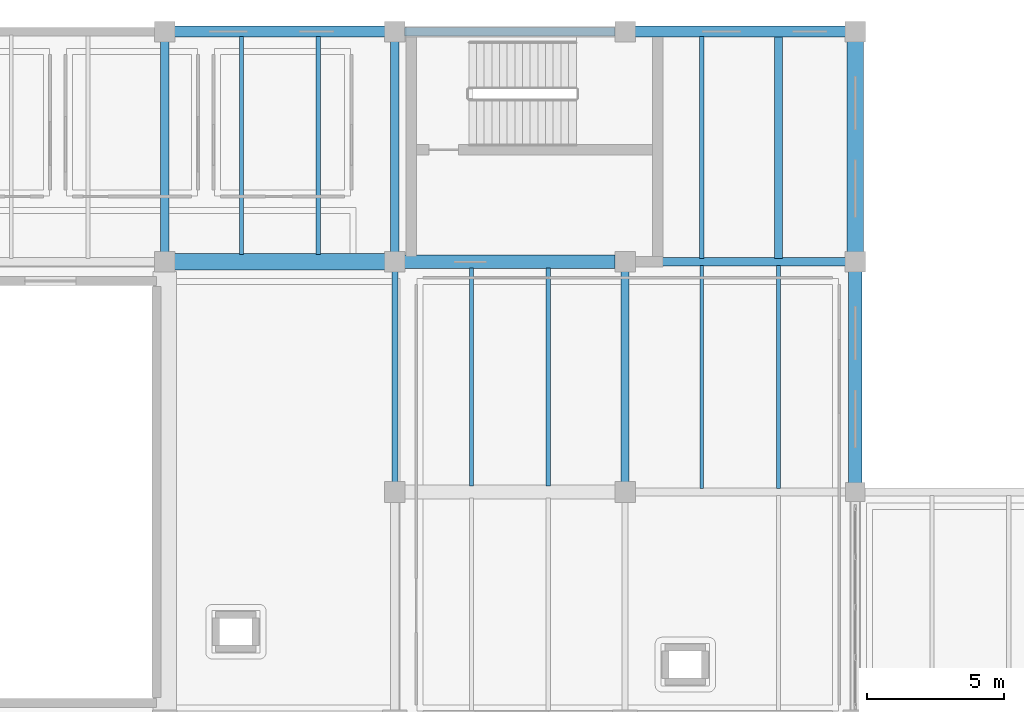
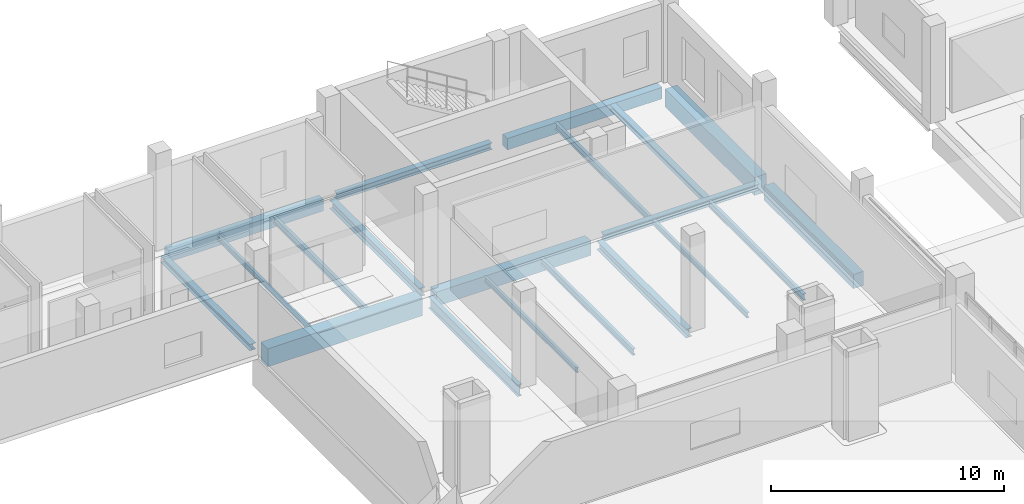
# One storey, part 9 of 66: 20 beams.
"""IFC4 building model written with IfcOpenShell, lengths in metres."""

from ifc_helpers import new_model, si_unit, direction, frame, origin, origin_2d, place, context, subcontext, project, spatial, rectangle, i_section, extrude, material, material_profile, profile_set, type_object, element, save


model = new_model("IFC4")

# Units and contexts
model_context = context("Model", 3, precision=1e-05, world=origin(), true_north=direction((0.0, 1.0)))
body_context = subcontext(model_context, "Body", "Model", "MODEL_VIEW")
ifc_project = project(units=[si_unit("LENGTHUNIT", "METRE"), si_unit("AREAUNIT", "SQUARE_METRE"), si_unit("VOLUMEUNIT", "CUBIC_METRE"), si_unit("PLANEANGLEUNIT", "RADIAN"), si_unit("MASSUNIT", "GRAM", prefix="KILO")], contexts=[model_context])

# Site, building, storey
site_placement = place(None, origin())
site = spatial("IfcSite", under=ifc_project, at=site_placement, CompositionType="ELEMENT")
building_placement = place(site_placement, origin())
building = spatial("IfcBuilding", under=site, at=building_placement, Name="Zulmaris Art Gallery", CompositionType="ELEMENT")
storey_placement = place(building_placement, frame((0.0, 0.0, 5.39990234375)))
storey = spatial("IfcBuildingStorey", under=building, at=storey_placement, Name="L01", CompositionType="ELEMENT", Elevation=5.39990234375)

# Beams
ifc_material_1 = material(Name="Steel S355J2", Category="steel")
ifc_material_profile_1 = material_profile(ifc_material_1, i_section(OverallWidth=0.219970703125, OverallDepth=0.60009765625, WebThickness=0.011962890625, FlangeThickness=0.01904296875, FilletRadius=0.02392578125, at=origin_2d()), Name="IPE 600")
ifc_profile_set_1 = profile_set([ifc_material_profile_1], Name="Steel S355J2")
beam_type_1 = type_object("IfcBeamType", Name="BEAM-BM07", PredefinedType="BEAM", material=ifc_profile_set_1)
beam_1_placement = place(storey_placement, frame((66.0, 59.159912109375, -0.6298828125), z_axis=(0.0, 1.0, 0.0), x_axis=(-1.0, 0.0, 0.0)))
element("IfcBeam", 1, at=beam_1_placement, inside=storey, type_object=beam_type_1, Name="L01 Y-girder (x=66.0, 58.8..67.2)", PredefinedType="BEAM", context=body_context, shape_type="SweptSolid", body=[
    extrude(i_section(OverallWidth=0.219970703125, OverallDepth=0.60009765625, WebThickness=0.011962890625, FlangeThickness=0.01904296875, FilletRadius=0.02392578125, at=origin_2d()), origin(), (0.0, 0.0, 1.0), 7.68017578125),
])
ifc_material_profile_2 = material_profile(ifc_material_1, i_section(OverallWidth=0.300048828125, OverallDepth=0.330078125, WebThickness=0.009521484375, FlangeThickness=0.0166015625, FilletRadius=0.027099609375, at=origin_2d()), Name="HEA 340")
ifc_profile_set_2 = profile_set([ifc_material_profile_2], Name="Steel S355J2")
beam_type_2 = type_object("IfcBeamType", Name="BEAM-BM08", PredefinedType="BEAM", material=ifc_profile_set_2)
for number, where, z_axis, x_axis, name in (
    (2, (74.760009765625, 67.199951171875, -0.494873046875), (1.0, 0.0, 0.0), (0.0, 1.0, 0.0), "L01 X-girder (74.4..82.8, y=67.2)"),
    (3, (57.60009765625, 67.56005859375, -0.494873046875), (0.0, 1.0, 0.0), (-1.0, 0.0, 0.0), "L01 Y-girder (x=57.6, 67.2..75.6)"),
):
    element("IfcBeam", number, at=place(storey_placement, frame(where, z_axis=z_axis, x_axis=x_axis)), inside=storey, type_object=beam_type_2, Name=name, PredefinedType="BEAM", context=body_context, shape_type="SweptSolid", body=[
        extrude(i_section(OverallWidth=0.300048828125, OverallDepth=0.330078125, WebThickness=0.009521484375, FlangeThickness=0.0166015625, FilletRadius=0.027099609375, at=origin_2d()), origin(), (0.0, 0.0, 1.0), 7.679931640625),
    ])
ifc_material_profile_3 = material_profile(ifc_material_1, i_section(OverallWidth=0.300048828125, OverallDepth=0.449951171875, WebThickness=0.013916015625, FlangeThickness=0.02587890625, FilletRadius=0.027099609375, at=origin_2d()), Name="HEB 450")
ifc_profile_set_3 = profile_set([ifc_material_profile_3], Name="Steel S355J2")
beam_type_3 = type_object("IfcBeamType", Name="BEAM-BM13", PredefinedType="BEAM", material=ifc_profile_set_3)
beam_2_placement = place(storey_placement, frame((66.0, 67.56005859375, -0.554931640625), z_axis=(0.0, 1.0, 0.0), x_axis=(-1.0, 0.0, 0.0)))
element("IfcBeam", 4, at=beam_2_placement, inside=storey, type_object=beam_type_3, Name="L01 Y-girder (x=66.0, 67.2..75.6)", PredefinedType="BEAM", context=body_context, shape_type="SweptSolid", body=[
    extrude(i_section(OverallWidth=0.300048828125, OverallDepth=0.449951171875, WebThickness=0.013916015625, FlangeThickness=0.02587890625, FilletRadius=0.027099609375, at=origin_2d()), origin(), (0.0, 0.0, 1.0), 7.679931640625),
])
beam_3_placement = place(storey_placement, frame((74.39990234375, 59.159912109375, -0.554931640625), z_axis=(0.0, 1.0, 0.0), x_axis=(-1.0, 0.0, 0.0)))
element("IfcBeam", 5, at=beam_3_placement, inside=storey, type_object=beam_type_3, Name="L01 Y-girder (x=74.4, 58.8..67.2)", PredefinedType="BEAM", context=body_context, shape_type="SweptSolid", body=[
    extrude(i_section(OverallWidth=0.300048828125, OverallDepth=0.449951171875, WebThickness=0.013916015625, FlangeThickness=0.02587890625, FilletRadius=0.027099609375, at=origin_2d()), origin(), (0.0, 0.0, 1.0), 7.68017578125),
])
ifc_material_2 = material(Name="Concrete C40/50", Category="concrete")
ifc_material_profile_4 = material_profile(ifc_material_2, rectangle(XDim=0.5, YDim=0.75, at=origin_2d()), Name="RC 500x750")
ifc_profile_set_4 = profile_set([ifc_material_profile_4], Name="Concrete C40/50")
beam_type_4 = type_object("IfcBeamType", Name="BEAM-BM20", PredefinedType="BEAM", material=ifc_profile_set_4)
beam_4_placement = place(storey_placement, frame((66.360107421875, 67.199951171875, -0.704833984375), z_axis=(1.0, 0.0, 0.0), x_axis=(0.0, 1.0, 0.0)))
element("IfcBeam", 6, at=beam_4_placement, inside=storey, type_object=beam_type_4, Name="L01 X-girder (66.0..74.4, y=67.2)", PredefinedType="BEAM", context=body_context, shape_type="SweptSolid", body=[
    extrude(rectangle(XDim=0.5, YDim=0.75, at=origin_2d()), origin(), (0.0, 0.0, 1.0), 7.679931640625),
])
beam_5_placement = place(storey_placement, frame((82.800048828125, 59.135009765625, -0.704833984375), z_axis=(0.0, 1.0, 0.0), x_axis=(-1.0, 0.0, 0.0)))
element("IfcBeam", 7, at=beam_5_placement, inside=storey, type_object=beam_type_4, Name="L01 Y-girder (x=82.8, 58.8..67.2)", PredefinedType="BEAM", context=body_context, shape_type="SweptSolid", body=[
    extrude(rectangle(XDim=0.5, YDim=0.75, at=origin_2d()), origin(), (0.0, 0.0, 1.0), 7.705078125),
])
ifc_material_profile_5 = material_profile(ifc_material_2, rectangle(XDim=0.60009765625, YDim=0.949951171875, at=origin_2d()), Name="RC 600x950")
ifc_profile_set_5 = profile_set([ifc_material_profile_5], Name="Concrete C40/50")
beam_type_5 = type_object("IfcBeamType", Name="BEAM-BM22", PredefinedType="BEAM", material=ifc_profile_set_5)
for number, where, z_axis, x_axis, name in (
    (8, (57.9599609375, 67.199951171875, -0.804931640625), (1.0, 0.0, 0.0), (0.0, 1.0, 0.0), "L01 X-girder (57.6..66.0, y=67.2)"),
    (9, (82.800048828125, 67.56005859375, -0.804931640625), (0.0, 1.0, 0.0), (-1.0, 0.0, 0.0), "L01 Y-girder (x=82.8, 67.2..75.6)"),
):
    element("IfcBeam", number, at=place(storey_placement, frame(where, z_axis=z_axis, x_axis=x_axis)), inside=storey, type_object=beam_type_5, Name=name, PredefinedType="BEAM", context=body_context, shape_type="SweptSolid", body=[
        extrude(rectangle(XDim=0.60009765625, YDim=0.949951171875, at=origin_2d()), origin(), (0.0, 0.0, 1.0), 7.679931640625),
    ])
ifc_material_profile_6 = material_profile(ifc_material_1, i_section(OverallWidth=0.135009765625, OverallDepth=0.27001953125, WebThickness=0.006591796875, FlangeThickness=0.01025390625, FilletRadius=0.014892578125, at=origin_2d()), Name="IPE 270")
ifc_profile_set_6 = profile_set([ifc_material_profile_6], Name="Steel S355J2")
beam_type_6 = type_object("IfcBeamType", Name="BEAM-JS02", PredefinedType="JOIST", material=ifc_profile_set_6)
beam_6_placement = place(storey_placement, frame((60.39990234375, 67.47509765625, -0.46484375), z_axis=(0.0, 1.0, 0.0), x_axis=(-1.0, 0.0, 0.0)))
element("IfcBeam", 10, at=beam_6_placement, inside=storey, type_object=beam_type_6, Name="L01 secondary joist at x=60.4", PredefinedType="JOIST", context=body_context, shape_type="SweptSolid", body=[
    extrude(i_section(OverallWidth=0.135009765625, OverallDepth=0.27001953125, WebThickness=0.006591796875, FlangeThickness=0.01025390625, FilletRadius=0.014892578125, at=origin_2d()), origin(), (0.0, 0.0, 1.0), 7.949951171875),
])
beam_7_placement = place(storey_placement, frame((68.800048828125, 59.02490234375, -0.46484375), z_axis=(0.0, 1.0, 0.0), x_axis=(-1.0, 0.0, 0.0)))
element("IfcBeam", 11, at=beam_7_placement, inside=storey, type_object=beam_type_6, Name="L01 secondary joist at x=68.8", PredefinedType="JOIST", context=body_context, shape_type="SweptSolid", body=[
    extrude(i_section(OverallWidth=0.135009765625, OverallDepth=0.27001953125, WebThickness=0.006591796875, FlangeThickness=0.01025390625, FilletRadius=0.014892578125, at=origin_2d()), origin(), (0.0, 0.0, 1.0), 7.9501953125),
])
beam_8_placement = place(storey_placement, frame((77.199951171875, 58.925048828125, -0.46484375), z_axis=(0.0, 1.0, 0.0), x_axis=(-1.0, 0.0, 0.0)))
element("IfcBeam", 12, at=beam_8_placement, inside=storey, type_object=beam_type_6, Name="L01 secondary joist at x=77.2", PredefinedType="JOIST", context=body_context, shape_type="SweptSolid", body=[
    extrude(i_section(OverallWidth=0.135009765625, OverallDepth=0.27001953125, WebThickness=0.006591796875, FlangeThickness=0.01025390625, FilletRadius=0.014892578125, at=origin_2d()), origin(), (0.0, 0.0, 1.0), 8.14990234375),
])
ifc_material_profile_7 = material_profile(ifc_material_1, i_section(OverallWidth=0.159912109375, OverallDepth=0.330078125, WebThickness=0.007568359375, FlangeThickness=0.011474609375, FilletRadius=0.01806640625, at=origin_2d()), Name="IPE 330")
ifc_profile_set_7 = profile_set([ifc_material_profile_7], Name="Steel S355J2")
beam_type_7 = type_object("IfcBeamType", Name="BEAM-JS03", PredefinedType="JOIST", material=ifc_profile_set_7)
beam_9_placement = place(storey_placement, frame((63.199951171875, 67.47509765625, -0.494873046875), z_axis=(0.0, 1.0, 0.0), x_axis=(-1.0, 0.0, 0.0)))
element("IfcBeam", 13, at=beam_9_placement, inside=storey, type_object=beam_type_7, Name="L01 secondary joist at x=63.2", PredefinedType="JOIST", context=body_context, shape_type="SweptSolid", body=[
    extrude(i_section(OverallWidth=0.159912109375, OverallDepth=0.330078125, WebThickness=0.007568359375, FlangeThickness=0.011474609375, FilletRadius=0.01806640625, at=origin_2d()), origin(), (0.0, 0.0, 1.0), 7.949951171875),
])
beam_10_placement = place(storey_placement, frame((71.60009765625, 59.02490234375, -0.494873046875), z_axis=(0.0, 1.0, 0.0), x_axis=(-1.0, 0.0, 0.0)))
element("IfcBeam", 14, at=beam_10_placement, inside=storey, type_object=beam_type_7, Name="L01 secondary joist at x=71.6", PredefinedType="JOIST", context=body_context, shape_type="SweptSolid", body=[
    extrude(i_section(OverallWidth=0.159912109375, OverallDepth=0.330078125, WebThickness=0.007568359375, FlangeThickness=0.011474609375, FilletRadius=0.01806640625, at=origin_2d()), origin(), (0.0, 0.0, 1.0), 7.9501953125),
])
beam_11_placement = place(storey_placement, frame((80.0, 58.925048828125, -0.494873046875), z_axis=(0.0, 1.0, 0.0), x_axis=(-1.0, 0.0, 0.0)))
element("IfcBeam", 15, at=beam_11_placement, inside=storey, type_object=beam_type_7, Name="L01 secondary joist at x=80.0", PredefinedType="JOIST", context=body_context, shape_type="SweptSolid", body=[
    extrude(i_section(OverallWidth=0.159912109375, OverallDepth=0.330078125, WebThickness=0.007568359375, FlangeThickness=0.011474609375, FilletRadius=0.01806640625, at=origin_2d()), origin(), (0.0, 0.0, 1.0), 8.14990234375),
])
beam_12_placement = place(storey_placement, frame((77.199951171875, 67.324951171875, -0.494873046875), z_axis=(0.0, 1.0, 0.0), x_axis=(-1.0, 0.0, 0.0)))
element("IfcBeam", 16, at=beam_12_placement, inside=storey, type_object=beam_type_7, Name="L01 secondary joist at x=77.2", PredefinedType="JOIST", context=body_context, shape_type="SweptSolid", body=[
    extrude(i_section(OverallWidth=0.159912109375, OverallDepth=0.330078125, WebThickness=0.007568359375, FlangeThickness=0.011474609375, FilletRadius=0.01806640625, at=origin_2d()), origin(), (0.0, 0.0, 1.0), 8.10009765625),
])
ifc_material_profile_8 = material_profile(ifc_material_1, i_section(OverallWidth=0.280029296875, OverallDepth=0.27001953125, WebThickness=0.008056640625, FlangeThickness=0.012939453125, FilletRadius=0.02392578125, at=origin_2d()), Name="HEA 280")
ifc_profile_set_8 = profile_set([ifc_material_profile_8], Name="Steel S355J2")
beam_type_8 = type_object("IfcBeamType", Name="BEAM-JS04", PredefinedType="JOIST", material=ifc_profile_set_8)
beam_13_placement = place(storey_placement, frame((80.0, 67.324951171875, -0.46484375), z_axis=(0.0, 1.0, 0.0), x_axis=(-1.0, 0.0, 0.0)))
element("IfcBeam", 17, at=beam_13_placement, inside=storey, type_object=beam_type_8, Name="L01 secondary joist at x=80.0", PredefinedType="JOIST", context=body_context, shape_type="SweptSolid", body=[
    extrude(i_section(OverallWidth=0.280029296875, OverallDepth=0.27001953125, WebThickness=0.008056640625, FlangeThickness=0.012939453125, FilletRadius=0.02392578125, at=origin_2d()), origin(), (0.0, 0.0, 1.0), 8.10009765625),
])
ifc_material_profile_9 = material_profile(ifc_material_1, i_section(OverallWidth=0.300048828125, OverallDepth=0.35009765625, WebThickness=0.010009765625, FlangeThickness=0.017578125, FilletRadius=0.027099609375, at=origin_2d()), Name="HEA 360")
ifc_profile_set_9 = profile_set([ifc_material_profile_9], Name="Steel S355J2")
beam_type_9 = type_object("IfcBeamType", Name="BEAM-SP01", PredefinedType="SPANDREL", material=ifc_profile_set_9)
beam_14_placement = place(storey_placement, frame((66.360107421875, 75.60009765625, -0.5048828125), z_axis=(1.0, 0.0, 0.0), x_axis=(0.0, 1.0, 0.0)))
element("IfcBeam", 18, at=beam_14_placement, inside=storey, type_object=beam_type_9, Name="L01 X-girder (66.0..74.4, y=75.6)", PredefinedType="SPANDREL", context=body_context, shape_type="SweptSolid", body=[
    extrude(i_section(OverallWidth=0.300048828125, OverallDepth=0.35009765625, WebThickness=0.010009765625, FlangeThickness=0.017578125, FilletRadius=0.027099609375, at=origin_2d()), origin(), (0.0, 0.0, 1.0), 7.679931640625),
])
ifc_material_profile_10 = material_profile(ifc_material_2, rectangle(XDim=0.39990234375, YDim=0.60009765625, at=origin_2d()), Name="RC 400x600")
ifc_profile_set_10 = profile_set([ifc_material_profile_10], Name="Concrete C40/50")
beam_type_10 = type_object("IfcBeamType", Name="BEAM-SP03", PredefinedType="SPANDREL", material=ifc_profile_set_10)
for number, where, z_axis, x_axis, name in (
    (19, (57.9599609375, 75.60009765625, -0.6298828125), (1.0, 0.0, 0.0), (0.0, 1.0, 0.0), "L01 X-girder (57.6..66.0, y=75.6)"),
    (20, (74.760009765625, 75.60009765625, -0.6298828125), (1.0, 0.0, 0.0), (0.0, 1.0, 0.0), "L01 X-girder (74.4..82.8, y=75.6)"),
):
    element("IfcBeam", number, at=place(storey_placement, frame(where, z_axis=z_axis, x_axis=x_axis)), inside=storey, type_object=beam_type_10, Name=name, PredefinedType="SPANDREL", context=body_context, shape_type="SweptSolid", body=[
        extrude(rectangle(XDim=0.39990234375, YDim=0.60009765625, at=origin_2d()), origin(), (0.0, 0.0, 1.0), 7.679931640625),
    ])

save(model, "model.ifc")
